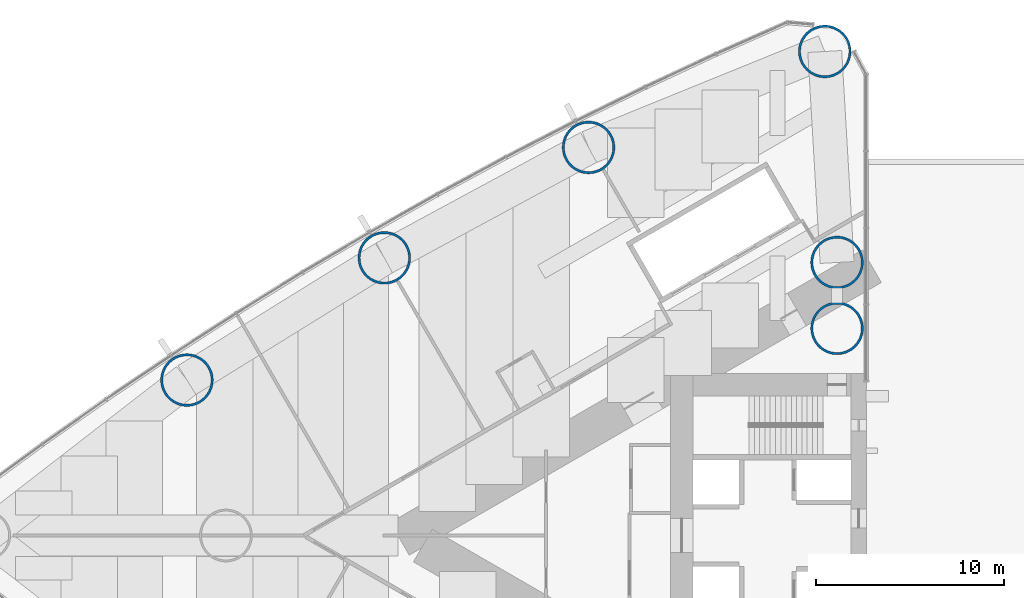
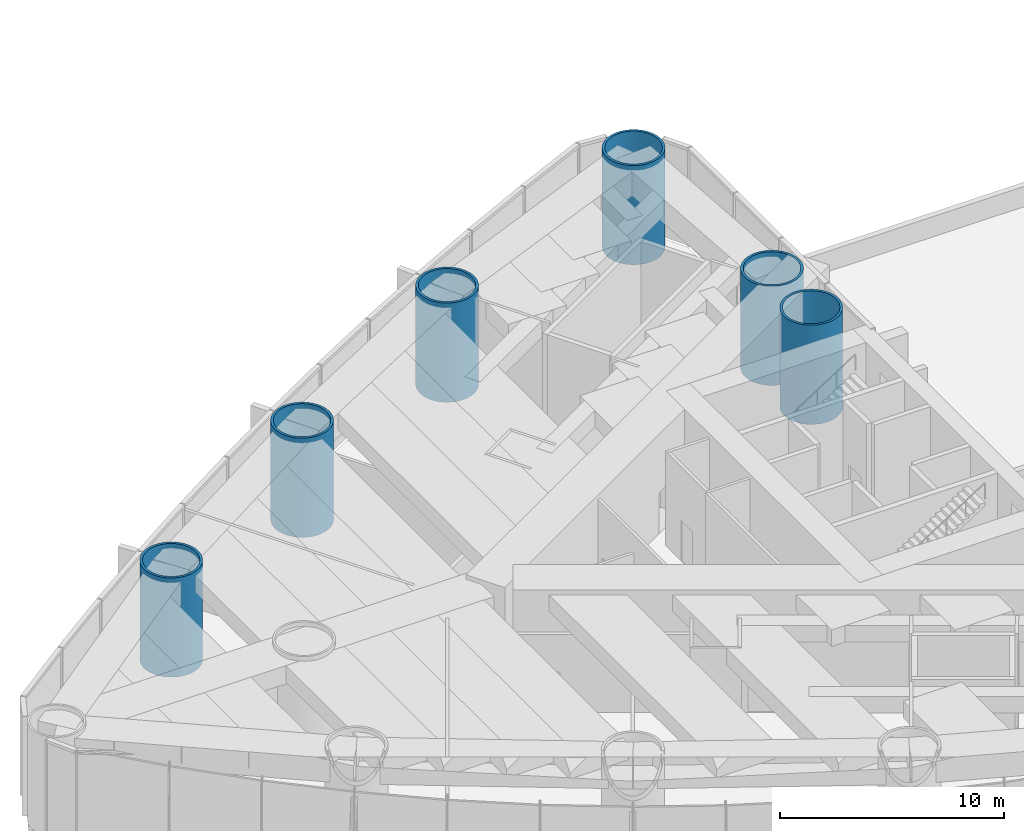
# One storey, part 3 of 23: 6 columns.
"""IFC4 building model written with IfcOpenShell, lengths in metres."""

from ifc_helpers import new_model, si_unit, direction, frame, origin, origin_2d, place, context, subcontext, project, spatial, hollow_circle, extrude, material, material_profile, profile_set, type_object, element, save


model = new_model("IFC4")

# Units and contexts
model_context = context("Model", 3, precision=1e-05, world=origin(), true_north=direction((0.0, 1.0)))
body_context = subcontext(model_context, "Body", "Model", "MODEL_VIEW")
ifc_project = project(units=[si_unit("LENGTHUNIT", "METRE"), si_unit("AREAUNIT", "SQUARE_METRE"), si_unit("VOLUMEUNIT", "CUBIC_METRE"), si_unit("PLANEANGLEUNIT", "RADIAN"), si_unit("MASSUNIT", "GRAM", prefix="KILO")], contexts=[model_context])

# Site, building, storey
site_placement = place(None, origin())
site = spatial("IfcSite", under=ifc_project, at=site_placement, CompositionType="ELEMENT")
building_placement = place(site_placement, origin())
building = spatial("IfcBuilding", under=site, at=building_placement, Name="Lancet Gate Hotel", CompositionType="ELEMENT")
storey_placement = place(building_placement, frame((0.0, 0.0, 12.60009765625)))
storey = spatial("IfcBuildingStorey", under=building, at=storey_placement, Name="L02", CompositionType="ELEMENT", Elevation=12.60009765625)

# Columns
ifc_material = material(Name="Composite filled tube, grade 460 plate, grade 80/95 fill", Category="composite")
ifc_material_profile = material_profile(ifc_material, hollow_circle(Radius=1.39990234375, WallThickness=0.1201171875, at=origin_2d()), Name="CHS 2800x120")
ifc_profile_set = profile_set([ifc_material_profile], Name="Composite filled tube, grade 460 plate, grade 80/95 fill")
column_type = type_object("IfcColumnType", Name="Perimeter column CFT CHS 2800x120", PredefinedType="COLUMN", material=ifc_profile_set)
for number, where, z_axis, x_axis, name in (
    (1, (-29.703369140625, 25.70263671875, 0.0), (0.0, 0.0, 1.0), (1.0, 0.0, 0.0), "T1 column CS L02"),
    (2, (-29.050048828125, 11.0, 0.0), (0.0, 0.0, 1.0), (1.0, 0.0, 0.0), "T1 column IS L02"),
    (3, (-29.050048828125, 14.5, 0.0), (0.0, 0.0, 1.0), (1.0, 0.0, 0.0), "T1 column IT L02"),
    (4, (-42.2451171875, 20.607421875, 0.0), (0.0, 0.0, 1.0), (1.0, 0.0, 0.0), "T1 column OS1 L02"),
    (5, (-53.090087890625, 14.744873046875, 0.0), (0.0, 0.0, 1.0), (1.0, 0.0, 0.0), "T1 column OS2 L02"),
    (6, (-63.57177734375, 8.255126953125, 0.0), (0.0, 0.0, 1.0), (1.0, 0.0, 0.0), "T1 column OS3 L02"),
):
    element("IfcColumn", number, at=place(storey_placement, frame(where, z_axis=z_axis, x_axis=x_axis)), inside=storey, type_object=column_type, Name=name, PredefinedType="COLUMN", context=body_context, shape_type="SweptSolid", body=[
        extrude(hollow_circle(Radius=1.39990234375, WallThickness=0.1201171875, at=origin_2d()), origin(), (0.0, 0.0, 1.0), 5.39990234375),
    ])

save(model, "model.ifc")
